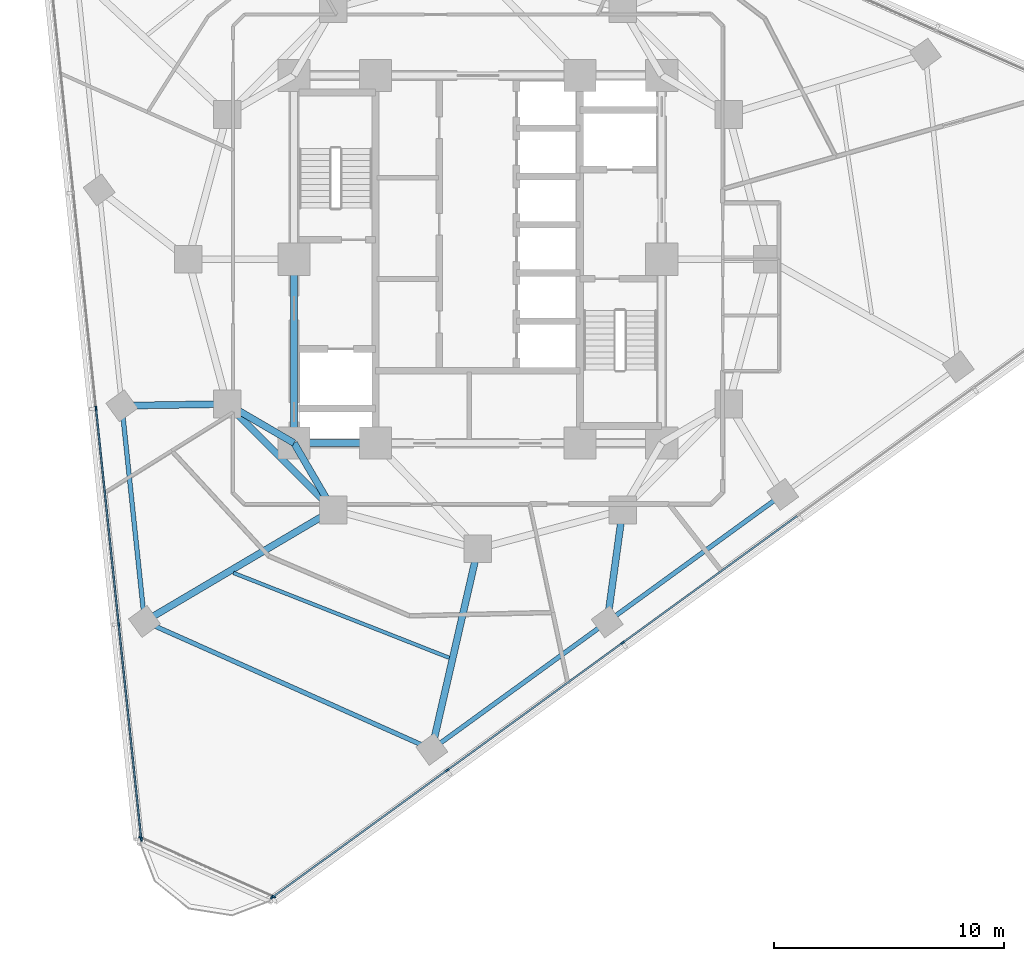
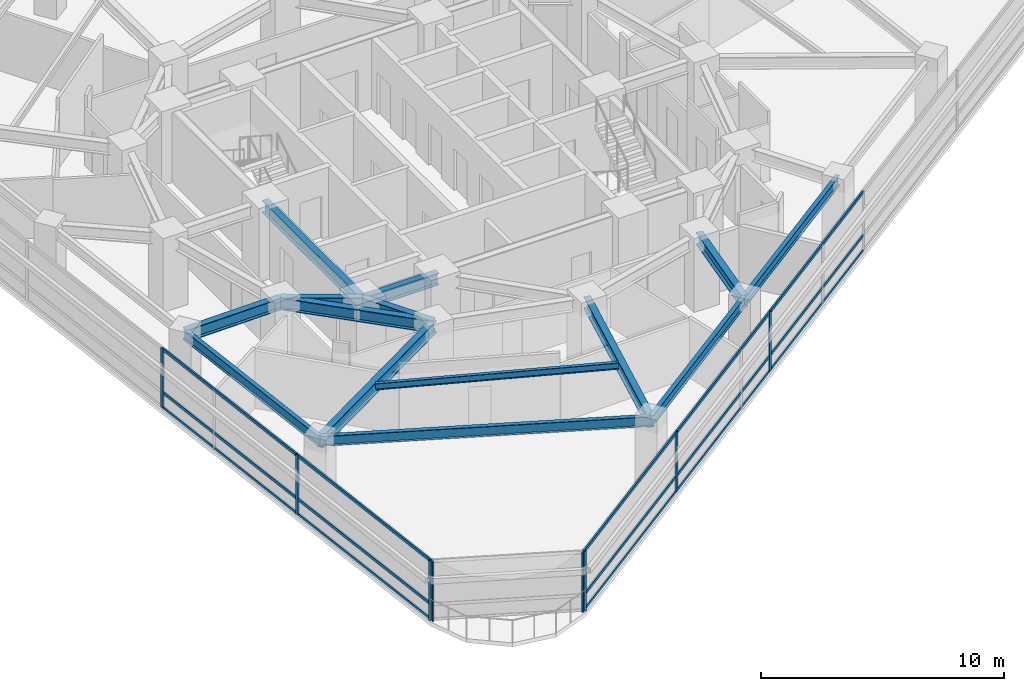
# One storey, part 2 of 14: 23 members, 14 beams, 3 elements without a shape of their own.
"""IFC4 building model written with IfcOpenShell, lengths in metres."""

from ifc_helpers import new_model, si_unit, direction, frame, origin, origin_2d, place, context, subcontext, project, spatial, rectangle, i_section, extrude, material, layer, layer_set, material_profile, profile_set, type_object, element, aggregate, save


model = new_model("IFC4")

# Units and contexts
model_context = context("Model", 3, precision=1e-05, world=origin(), true_north=direction((0.0, 1.0)))
body_context = subcontext(model_context, "Body", "Model", "MODEL_VIEW")
ifc_project = project(units=[si_unit("LENGTHUNIT", "METRE"), si_unit("AREAUNIT", "SQUARE_METRE"), si_unit("VOLUMEUNIT", "CUBIC_METRE"), si_unit("PLANEANGLEUNIT", "RADIAN"), si_unit("MASSUNIT", "GRAM", prefix="KILO")], contexts=[model_context])

# Site, building, storey
site_placement = place(None, origin())
site = spatial("IfcSite", under=ifc_project, at=site_placement, CompositionType="ELEMENT")
building_placement = place(site_placement, origin())
building = spatial("IfcBuilding", under=site, at=building_placement, Name="Terralouvre Media Tower", CompositionType="ELEMENT")
storey_placement = place(building_placement, frame((0.0, 0.0, 162.0)))
storey = spatial("IfcBuildingStorey", under=building, at=storey_placement, Name="L41", CompositionType="ELEMENT", Elevation=162.0)

# Beam
ifc_material_1 = material(Name="Structural steel S355J2", Category="steel")
ifc_material_profile_1 = material_profile(ifc_material_1, i_section(OverallWidth=0.159912109375, OverallDepth=0.330078125, WebThickness=0.007568359375, FlangeThickness=0.011474609375, at=origin_2d()), Name="IPE 330")
ifc_profile_set_1 = profile_set([ifc_material_profile_1], Name="Structural steel S355J2")
beam_type_1 = type_object("IfcBeamType", Name="Composite Floor Joist J-IPE330 (IPE 330)", PredefinedType="JOIST", material=ifc_profile_set_1)
beam_1_placement = place(storey_placement, frame((-10.638916015625, -13.648681640625, 3.3349609375), z_axis=(0.93055150024, -0.366161037525, 0.0), x_axis=(0.366161037525, 0.93055150024, 0.0)))
element("IfcBeam", 1, at=beam_1_placement, inside=storey, type_object=beam_type_1, Name="L41 Framing Beam JT-L41-01", PredefinedType="JOIST", context=body_context, shape_type="SweptSolid", body=[
    extrude(i_section(OverallWidth=0.159912109375, OverallDepth=0.330078125, WebThickness=0.007568359375, FlangeThickness=0.011474609375, at=origin_2d()), origin(), (0.0, 0.0, 1.0), 10.0966796875),
])

# Curtain wall, members
ifc_material_2 = material(Name="Low-iron laminated double glazing with solar-control coating", Category="glass")
ifc_layer_1 = layer(ifc_material_2, 0.1650390625, Name="Production Studio Tower Curtain Wall CW-03")
ifc_layer_set_1 = layer_set([ifc_layer_1], Name="Low-iron laminated double glazing with solar-control coating")
curtain_wall_type_1 = type_object("IfcCurtainWallType", Name="Production Studio Tower Curtain Wall CW-03", PredefinedType="NOTDEFINED", material=ifc_layer_set_1)
curtain_wall_1_placement = place(storey_placement, origin())
curtain_wall_1 = element("IfcCurtainWall", 2, at=curtain_wall_1_placement, inside=storey, type_object=curtain_wall_type_1, Name="L41 Facade Curtain Wall F0", PredefinedType="NOTDEFINED")
ifc_material_3 = material(Name="Anodised extruded aluminium 6063-T6", Category="aluminium")
ifc_material_profile_2 = material_profile(ifc_material_3, rectangle(XDim=0.074951171875, YDim=0.14990234375, at=origin_2d()), Name="ALU 75x150")
ifc_profile_set_2 = profile_set([ifc_material_profile_2], Name="Anodised extruded aluminium 6063-T6")
member_type_1 = type_object("IfcMemberType", Name="Curtain-Wall Horizontal Transom TR-150", PredefinedType="USERDEFINED", material=ifc_profile_set_2)
member_1_placement = place(storey_placement, frame((-8.9189453125, -27.7470703125, 0.03759765625), z_axis=(0.809025744282, 0.58777320889, 0.0), x_axis=(-0.58777320889, 0.809025744282, 0.0)))
member_1 = element("IfcMember", 3, at=member_1_placement, type_object=member_type_1, Name="CW-03 transom 1.1", ObjectType="TRANSOM", PredefinedType="USERDEFINED", context=body_context, shape_type="SweptSolid", body=[
    extrude(rectangle(XDim=0.074951171875, YDim=0.14990234375, at=origin_2d()), origin(), (0.0, 0.0, 1.0), 9.327392578125),
])
member_2_placement = place(storey_placement, frame((-8.9189453125, -27.7470703125, 0.800048828125), z_axis=(0.809025744282, 0.58777320889, 0.0), x_axis=(-0.58777320889, 0.809025744282, 0.0)))
member_2 = element("IfcMember", 4, at=member_2_placement, type_object=member_type_1, Name="CW-03 transom 1.2", ObjectType="TRANSOM", PredefinedType="USERDEFINED", context=body_context, shape_type="SweptSolid", body=[
    extrude(rectangle(XDim=0.074951171875, YDim=0.14990234375, at=origin_2d()), origin(), (0.0, 0.0, 1.0), 9.327392578125),
])
member_3_placement = place(storey_placement, frame((-8.9189453125, -27.7470703125, 2.96240234375), z_axis=(0.809025744282, 0.58777320889, 0.0), x_axis=(-0.58777320889, 0.809025744282, 0.0)))
member_3 = element("IfcMember", 5, at=member_3_placement, type_object=member_type_1, Name="CW-03 transom 1.3", ObjectType="TRANSOM", PredefinedType="USERDEFINED", context=body_context, shape_type="SweptSolid", body=[
    extrude(rectangle(XDim=0.074951171875, YDim=0.14990234375, at=origin_2d()), origin(), (0.0, 0.0, 1.0), 9.327392578125),
])
member_4_placement = place(storey_placement, frame((-1.312255859375, -22.220458984375, 0.03759765625), z_axis=(0.809014443998, 0.587788762569, 0.0), x_axis=(-0.587788762569, 0.809014443998, 0.0)))
member_4 = element("IfcMember", 6, at=member_4_placement, type_object=member_type_1, Name="CW-03 transom 2.1", ObjectType="TRANSOM", PredefinedType="USERDEFINED", context=body_context, shape_type="SweptSolid", body=[
    extrude(rectangle(XDim=0.074951171875, YDim=0.14990234375, at=origin_2d()), origin(), (0.0, 0.0, 1.0), 9.364990234375),
])
member_5_placement = place(storey_placement, frame((-1.312255859375, -22.220458984375, 0.800048828125), z_axis=(0.809014443998, 0.587788762569, 0.0), x_axis=(-0.587788762569, 0.809014443998, 0.0)))
member_5 = element("IfcMember", 7, at=member_5_placement, type_object=member_type_1, Name="CW-03 transom 2.2", ObjectType="TRANSOM", PredefinedType="USERDEFINED", context=body_context, shape_type="SweptSolid", body=[
    extrude(rectangle(XDim=0.074951171875, YDim=0.14990234375, at=origin_2d()), origin(), (0.0, 0.0, 1.0), 9.364990234375),
])
member_6_placement = place(storey_placement, frame((-1.312255859375, -22.220458984375, 2.96240234375), z_axis=(0.809014443998, 0.587788762569, 0.0), x_axis=(-0.587788762569, 0.809014443998, 0.0)))
member_6 = element("IfcMember", 8, at=member_6_placement, type_object=member_type_1, Name="CW-03 transom 2.3", ObjectType="TRANSOM", PredefinedType="USERDEFINED", context=body_context, shape_type="SweptSolid", body=[
    extrude(rectangle(XDim=0.074951171875, YDim=0.14990234375, at=origin_2d()), origin(), (0.0, 0.0, 1.0), 9.364990234375),
])
member_7_placement = place(storey_placement, frame((6.324951171875, -16.671875, 0.03759765625), z_axis=(0.809014443998, 0.587788762569, 0.0), x_axis=(-0.587788762569, 0.809014443998, 0.0)))
member_7 = element("IfcMember", 9, at=member_7_placement, type_object=member_type_1, Name="CW-03 transom 3.1", ObjectType="TRANSOM", PredefinedType="USERDEFINED", context=body_context, shape_type="SweptSolid", body=[
    extrude(rectangle(XDim=0.074951171875, YDim=0.14990234375, at=origin_2d()), origin(), (0.0, 0.0, 1.0), 9.364990234375),
])
member_8_placement = place(storey_placement, frame((6.324951171875, -16.671875, 0.800048828125), z_axis=(0.809014443998, 0.587788762569, 0.0), x_axis=(-0.587788762569, 0.809014443998, 0.0)))
member_8 = element("IfcMember", 10, at=member_8_placement, type_object=member_type_1, Name="CW-03 transom 3.2", ObjectType="TRANSOM", PredefinedType="USERDEFINED", context=body_context, shape_type="SweptSolid", body=[
    extrude(rectangle(XDim=0.074951171875, YDim=0.14990234375, at=origin_2d()), origin(), (0.0, 0.0, 1.0), 9.364990234375),
])
member_9_placement = place(storey_placement, frame((6.324951171875, -16.671875, 2.96240234375), z_axis=(0.809014443998, 0.587788762569, 0.0), x_axis=(-0.587788762569, 0.809014443998, 0.0)))
member_9 = element("IfcMember", 11, at=member_9_placement, type_object=member_type_1, Name="CW-03 transom 3.3", ObjectType="TRANSOM", PredefinedType="USERDEFINED", context=body_context, shape_type="SweptSolid", body=[
    extrude(rectangle(XDim=0.074951171875, YDim=0.14990234375, at=origin_2d()), origin(), (0.0, 0.0, 1.0), 9.364990234375),
])

curtain_wall_2_placement = place(storey_placement, origin())
curtain_wall_2 = element("IfcCurtainWall", 12, at=curtain_wall_2_placement, inside=storey, type_object=curtain_wall_type_1, Name="L41 Facade Curtain Wall F2", PredefinedType="NOTDEFINED")
member_10_placement = place(storey_placement, frame((-16.614013671875, -6.52978515625, 0.03759765625), z_axis=(0.104538223456, -0.994520869483, 0.0), x_axis=(0.994520869483, 0.104538223456, 0.0)))
member_10 = element("IfcMember", 13, at=member_10_placement, type_object=member_type_1, Name="CW-03 transom 4.1", ObjectType="TRANSOM", PredefinedType="USERDEFINED", context=body_context, shape_type="SweptSolid", body=[
    extrude(rectangle(XDim=0.074951171875, YDim=0.14990234375, at=origin_2d()), origin(), (0.0, 0.0, 1.0), 9.364990234375),
])
member_11_placement = place(storey_placement, frame((-16.614013671875, -6.52978515625, 0.800048828125), z_axis=(0.104538223456, -0.994520869483, 0.0), x_axis=(0.994520869483, 0.104538223456, 0.0)))
member_11 = element("IfcMember", 14, at=member_11_placement, type_object=member_type_1, Name="CW-03 transom 4.2", ObjectType="TRANSOM", PredefinedType="USERDEFINED", context=body_context, shape_type="SweptSolid", body=[
    extrude(rectangle(XDim=0.074951171875, YDim=0.14990234375, at=origin_2d()), origin(), (0.0, 0.0, 1.0), 9.364990234375),
])
member_12_placement = place(storey_placement, frame((-16.614013671875, -6.52978515625, 2.96240234375), z_axis=(0.104538223456, -0.994520869483, 0.0), x_axis=(0.994520869483, 0.104538223456, 0.0)))
member_12 = element("IfcMember", 15, at=member_12_placement, type_object=member_type_1, Name="CW-03 transom 4.3", ObjectType="TRANSOM", PredefinedType="USERDEFINED", context=body_context, shape_type="SweptSolid", body=[
    extrude(rectangle(XDim=0.074951171875, YDim=0.14990234375, at=origin_2d()), origin(), (0.0, 0.0, 1.0), 9.364990234375),
])
member_13_placement = place(storey_placement, frame((-15.627197265625, -15.918212890625, 0.03759765625), z_axis=(0.104540358364, -0.994520645071, 0.0), x_axis=(0.994520645071, 0.104540358364, 0.0)))
member_13 = element("IfcMember", 16, at=member_13_placement, type_object=member_type_1, Name="CW-03 transom 5.1", ObjectType="TRANSOM", PredefinedType="USERDEFINED", context=body_context, shape_type="SweptSolid", body=[
    extrude(rectangle(XDim=0.074951171875, YDim=0.14990234375, at=origin_2d()), origin(), (0.0, 0.0, 1.0), 9.327392578125),
])
member_14_placement = place(storey_placement, frame((-15.627197265625, -15.918212890625, 0.800048828125), z_axis=(0.104540358364, -0.994520645071, 0.0), x_axis=(0.994520645071, 0.104540358364, 0.0)))
member_14 = element("IfcMember", 17, at=member_14_placement, type_object=member_type_1, Name="CW-03 transom 5.2", ObjectType="TRANSOM", PredefinedType="USERDEFINED", context=body_context, shape_type="SweptSolid", body=[
    extrude(rectangle(XDim=0.074951171875, YDim=0.14990234375, at=origin_2d()), origin(), (0.0, 0.0, 1.0), 9.327392578125),
])
member_15_placement = place(storey_placement, frame((-15.627197265625, -15.918212890625, 2.96240234375), z_axis=(0.104540358364, -0.994520645071, 0.0), x_axis=(0.994520645071, 0.104540358364, 0.0)))
member_15 = element("IfcMember", 18, at=member_15_placement, type_object=member_type_1, Name="CW-03 transom 5.3", ObjectType="TRANSOM", PredefinedType="USERDEFINED", context=body_context, shape_type="SweptSolid", body=[
    extrude(rectangle(XDim=0.074951171875, YDim=0.14990234375, at=origin_2d()), origin(), (0.0, 0.0, 1.0), 9.327392578125),
])

# Member
ifc_material_4 = material(Name="Anodised extruded aluminium 6063-T6", Category="aluminium")
ifc_material_profile_3 = material_profile(ifc_material_4, rectangle(XDim=0.074951171875, YDim=0.179931640625, at=origin_2d()), Name="ALU 75x180")
ifc_profile_set_3 = profile_set([ifc_material_profile_3], Name="Anodised extruded aluminium 6063-T6")
member_type_2 = type_object("IfcMemberType", Name="Curtain-Wall Vertical Mullion ML-180", PredefinedType="MULLION", material=ifc_profile_set_3)
member_16_placement = place(storey_placement, frame((-8.949462890625, -27.769287109375, 0.0), z_axis=(0.0, 0.0, 1.0), x_axis=(-0.587785358263, 0.809016917383, 0.0)))
member_16 = element("IfcMember", 19, at=member_16_placement, type_object=member_type_2, Name="CW-03 mullion 1", PredefinedType="MULLION", context=body_context, shape_type="SweptSolid", body=[
    extrude(rectangle(XDim=0.074951171875, YDim=0.179931640625, at=origin_2d()), origin(), (0.0, 0.0, 1.0), 3.0),
])

member_17_placement = place(storey_placement, frame((-1.342529296875, -22.24267578125, 0.0), z_axis=(0.0, 0.0, 1.0), x_axis=(-0.587785358263, 0.809016917383, 0.0)))
member_17 = element("IfcMember", 20, at=member_17_placement, type_object=member_type_2, Name="CW-03 mullion 2", PredefinedType="MULLION", context=body_context, shape_type="SweptSolid", body=[
    extrude(rectangle(XDim=0.074951171875, YDim=0.179931640625, at=origin_2d()), origin(), (0.0, 0.0, 1.0), 3.0),
])

member_18_placement = place(storey_placement, frame((6.294677734375, -16.69384765625, 0.0), z_axis=(0.0, 0.0, 1.0), x_axis=(-0.587785358263, 0.809016917383, 0.0)))
member_18 = element("IfcMember", 21, at=member_18_placement, type_object=member_type_2, Name="CW-03 mullion 3", PredefinedType="MULLION", context=body_context, shape_type="SweptSolid", body=[
    extrude(rectangle(XDim=0.074951171875, YDim=0.179931640625, at=origin_2d()), origin(), (0.0, 0.0, 1.0), 3.0),
])

aggregate(curtain_wall_1, [member_16, member_17, member_18, member_1, member_2, member_3, member_4, member_5, member_6, member_7, member_8, member_9])

member_19_placement = place(storey_placement, frame((-16.617919921875, -6.49267578125, 0.0), z_axis=(0.0, 0.0, 1.0), x_axis=(0.994521904516, 0.104528376236, 0.0)))
member_19 = element("IfcMember", 22, at=member_19_placement, type_object=member_type_2, Name="CW-03 mullion 4", PredefinedType="MULLION", context=body_context, shape_type="SweptSolid", body=[
    extrude(rectangle(XDim=0.074951171875, YDim=0.179931640625, at=origin_2d()), origin(), (0.0, 0.0, 1.0), 3.0),
])

member_20_placement = place(storey_placement, frame((-15.631103515625, -15.880859375, 0.0), z_axis=(0.0, 0.0, 1.0), x_axis=(0.994521904516, 0.104528376236, 0.0)))
member_20 = element("IfcMember", 23, at=member_20_placement, type_object=member_type_2, Name="CW-03 mullion 5", PredefinedType="MULLION", context=body_context, shape_type="SweptSolid", body=[
    extrude(rectangle(XDim=0.074951171875, YDim=0.179931640625, at=origin_2d()), origin(), (0.0, 0.0, 1.0), 3.0),
])

member_21_placement = place(storey_placement, frame((-14.648193359375, -25.23193359375, 0.0), z_axis=(0.0, 0.0, 1.0), x_axis=(0.994521904516, 0.104528376236, 0.0)))
member_21 = element("IfcMember", 24, at=member_21_placement, type_object=member_type_2, Name="CW-03 mullion 6", PredefinedType="MULLION", context=body_context, shape_type="SweptSolid", body=[
    extrude(rectangle(XDim=0.074951171875, YDim=0.179931640625, at=origin_2d()), origin(), (0.0, 0.0, 1.0), 3.0),
])

aggregate(curtain_wall_2, [member_19, member_20, member_21, member_10, member_11, member_12, member_13, member_14, member_15])

# Curtain wall, members
ifc_material_5 = material(Name="Low-iron laminated double glazing with solar-control coating", Category="glass")
ifc_layer_2 = layer(ifc_material_5, 0.1650390625, Name="Rounded Wind-Corner Curved Glazing CW-04")
ifc_layer_set_2 = layer_set([ifc_layer_2], Name="Low-iron laminated double glazing with solar-control coating")
curtain_wall_type_2 = type_object("IfcCurtainWallType", Name="Rounded Wind-Corner Curved Glazing CW-04", PredefinedType="NOTDEFINED", material=ifc_layer_set_2)
curtain_wall_3_placement = place(storey_placement, origin())
curtain_wall_3 = element("IfcCurtainWall", 25, at=curtain_wall_3_placement, inside=storey, type_object=curtain_wall_type_2, Name="L41 Rounded Wind-Corner Curtain Wall C0", PredefinedType="NOTDEFINED")
member_22_placement = place(storey_placement, frame((-14.67236328125, -25.169189453125, 0.0), z_axis=(0.0, 0.0, 1.0), x_axis=(0.406736754128, 0.913545408199, 0.0)))
member_22 = element("IfcMember", 26, at=member_22_placement, type_object=member_type_2, Name="CW-04 mullion 1", PredefinedType="MULLION", context=body_context, shape_type="SweptSolid", body=[
    extrude(rectangle(XDim=0.074951171875, YDim=0.179931640625, at=origin_2d()), origin(), (0.0, 0.0, 1.0), 3.0),
])
member_23_placement = place(storey_placement, frame((-8.886474609375, -27.7451171875, 0.0), z_axis=(0.0, 0.0, 1.0), x_axis=(0.406736754128, 0.913545408199, 0.0)))
member_23 = element("IfcMember", 27, at=member_23_placement, type_object=member_type_2, Name="CW-04 mullion 2", PredefinedType="MULLION", context=body_context, shape_type="SweptSolid", body=[
    extrude(rectangle(XDim=0.074951171875, YDim=0.179931640625, at=origin_2d()), origin(), (0.0, 0.0, 1.0), 3.0),
])
aggregate(curtain_wall_3, [member_22, member_23])

# Beams
ifc_material_6 = material(Name="Structural steel S355J2", Category="steel")
ifc_material_profile_4 = material_profile(ifc_material_6, i_section(OverallWidth=0.199951171875, OverallDepth=0.5, WebThickness=0.01025390625, FlangeThickness=0.01611328125, at=origin_2d()), Name="IPE 500")
ifc_profile_set_4 = profile_set([ifc_material_profile_4], Name="Structural steel S355J2")
beam_type_2 = type_object("IfcBeamType", Name="Perimeter Spandrel Beam SPB-500 (IPE 500)", PredefinedType="SPANDREL", material=ifc_profile_set_4)
beam_2_placement = place(storey_placement, frame((-15.494140625, -6.37451171875, 3.25), z_axis=(0.10453669331, -0.994521030321, 0.0), x_axis=(0.994521030321, 0.10453669331, 0.0)))
element("IfcBeam", 28, at=beam_2_placement, inside=storey, type_object=beam_type_2, Name="L41 Framing Beam BM-L41-PR01", PredefinedType="SPANDREL", context=body_context, shape_type="SweptSolid", body=[
    extrude(i_section(OverallWidth=0.199951171875, OverallDepth=0.5, WebThickness=0.01025390625, FlangeThickness=0.01611328125, at=origin_2d()), origin(), (0.0, 0.0, 1.0), 9.43994140625),
])
beam_3_placement = place(storey_placement, frame((-14.50732421875, -15.7626953125, 3.25), z_axis=(0.913542800127, -0.4067426119, 0.0), x_axis=(0.4067426119, 0.913542800127, 0.0)))
element("IfcBeam", 29, at=beam_3_placement, inside=storey, type_object=beam_type_2, Name="L41 Framing Beam BM-L41-PR02", PredefinedType="SPANDREL", context=body_context, shape_type="SweptSolid", body=[
    extrude(i_section(OverallWidth=0.199951171875, OverallDepth=0.5, WebThickness=0.01025390625, FlangeThickness=0.01611328125, at=origin_2d()), origin(), (0.0, 0.0, 1.0), 13.68359375),
])
beam_4_placement = place(storey_placement, frame((-2.0068359375, -21.328369140625, 3.25), z_axis=(0.809025644413, 0.587773346352, 0.0), x_axis=(-0.587773346352, 0.809025644413, 0.0)))
element("IfcBeam", 30, at=beam_4_placement, inside=storey, type_object=beam_type_2, Name="L41 Framing Beam BM-L41-PR03", PredefinedType="SPANDREL", context=body_context, shape_type="SweptSolid", body=[
    extrude(i_section(OverallWidth=0.199951171875, OverallDepth=0.5, WebThickness=0.01025390625, FlangeThickness=0.01611328125, at=origin_2d()), origin(), (0.0, 0.0, 1.0), 9.43994140625),
])
beam_5_placement = place(storey_placement, frame((5.63037109375, -15.77978515625, 3.25), z_axis=(0.809013346268, 0.587790273448, 0.0), x_axis=(-0.587790273448, 0.809013346268, 0.0)))
element("IfcBeam", 31, at=beam_5_placement, inside=storey, type_object=beam_type_2, Name="L41 Framing Beam BM-L41-PR04", PredefinedType="SPANDREL", context=body_context, shape_type="SweptSolid", body=[
    extrude(i_section(OverallWidth=0.199951171875, OverallDepth=0.5, WebThickness=0.01025390625, FlangeThickness=0.01611328125, at=origin_2d()), origin(), (0.0, 0.0, 1.0), 9.440185546875),
])
ifc_material_7 = material(Name="Structural steel S460M", Category="steel")
ifc_material_profile_5 = material_profile(ifc_material_7, i_section(OverallWidth=0.300048828125, OverallDepth=0.60009765625, WebThickness=0.015380859375, FlangeThickness=0.030029296875, at=origin_2d()), Name="HEB 600")
ifc_profile_set_5 = profile_set([ifc_material_profile_5], Name="Structural steel S460M")
beam_type_3 = type_object("IfcBeamType", Name="Primary Floor Girder B-HEB600 (HEB 600)", PredefinedType="BEAM", material=ifc_profile_set_5)
beam_6_placement = place(storey_placement, frame((-8.0, -8.0, 3.199951171875), z_axis=(1.0, 0.0, 0.0), x_axis=(0.0, 1.0, 0.0)))
element("IfcBeam", 32, at=beam_6_placement, inside=storey, type_object=beam_type_3, Name="L41 Framing Beam BM-L41-CPR01", PredefinedType="BEAM", context=body_context, shape_type="SweptSolid", body=[
    extrude(i_section(OverallWidth=0.300048828125, OverallDepth=0.60009765625, WebThickness=0.015380859375, FlangeThickness=0.030029296875, at=origin_2d()), origin(), (0.0, 0.0, 1.0), 3.550048828125),
])
beam_7_placement = place(storey_placement, frame((-8.0, 0.0, 3.199951171875), z_axis=(0.0, -1.0, 0.0), x_axis=(1.0, 0.0, 0.0)))
element("IfcBeam", 33, at=beam_7_placement, inside=storey, type_object=beam_type_3, Name="L41 Framing Beam BM-L41-CPR10", PredefinedType="BEAM", context=body_context, shape_type="SweptSolid", body=[
    extrude(i_section(OverallWidth=0.300048828125, OverallDepth=0.60009765625, WebThickness=0.015380859375, FlangeThickness=0.030029296875, at=origin_2d()), origin(), (0.0, 0.0, 1.0), 8.0),
])
beam_8_placement = place(storey_placement, frame((-10.911865234375, -6.300048828125, 3.199951171875), z_axis=(0.707106781187, -0.707106781187, 0.0), x_axis=(0.707106781187, 0.707106781187, 0.0)))
element("IfcBeam", 34, at=beam_8_placement, inside=storey, type_object=beam_type_3, Name="L41 Framing Beam BM-L41-MR01", PredefinedType="BEAM", context=body_context, shape_type="SweptSolid", body=[
    extrude(i_section(OverallWidth=0.300048828125, OverallDepth=0.60009765625, WebThickness=0.015380859375, FlangeThickness=0.030029296875, at=origin_2d()), origin(), (0.0, 0.0, 1.0), 6.52197265625),
])
for number, where, z_axis, x_axis, name in (
    (35, (-8.0, -8.0, 3.199951171875), (-0.863602894532, 0.504172629717, 0.0), (-0.504172629717, -0.863602894532, 0.0), "L41 Framing Beam BM-L41-CM01"),
    (36, (-8.0, -8.0, 3.199951171875), (0.504172629717, -0.863602894532, 0.0), (0.863602894532, 0.504172629717, 0.0), "L41 Framing Beam BM-L41-CM02"),
):
    element("IfcBeam", number, at=place(storey_placement, frame(where, z_axis=z_axis, x_axis=x_axis)), inside=storey, type_object=beam_type_3, Name=name, PredefinedType="BEAM", context=body_context, shape_type="SweptSolid", body=[
        extrude(i_section(OverallWidth=0.300048828125, OverallDepth=0.60009765625, WebThickness=0.015380859375, FlangeThickness=0.030029296875, at=origin_2d()), origin(), (0.0, 0.0, 1.0), 3.371826171875),
    ])
beam_9_placement = place(storey_placement, frame((-10.911865234375, -6.300048828125, 3.199951171875), z_axis=(-0.999867991647, -0.016248054635, 0.0), x_axis=(0.016248054635, -0.999867991647, 0.0)))
element("IfcBeam", 37, at=beam_9_placement, inside=storey, type_object=beam_type_3, Name="L41 Framing Beam BM-L41-RD01", PredefinedType="BEAM", context=body_context, shape_type="SweptSolid", body=[
    extrude(i_section(OverallWidth=0.300048828125, OverallDepth=0.60009765625, WebThickness=0.015380859375, FlangeThickness=0.030029296875, at=origin_2d()), origin(), (0.0, 0.0, 1.0), 4.582763671875),
])
beam_10_placement = place(storey_placement, frame((-6.300048828125, -10.911865234375, 3.199951171875), z_axis=(-0.86087707212, -0.508812997768, 0.0), x_axis=(0.508812997768, -0.86087707212, 0.0)))
element("IfcBeam", 38, at=beam_10_placement, inside=storey, type_object=beam_type_3, Name="L41 Framing Beam BM-L41-RD02", PredefinedType="BEAM", context=body_context, shape_type="SweptSolid", body=[
    extrude(i_section(OverallWidth=0.300048828125, OverallDepth=0.60009765625, WebThickness=0.015380859375, FlangeThickness=0.030029296875, at=origin_2d()), origin(), (0.0, 0.0, 1.0), 9.53369140625),
])
beam_11_placement = place(storey_placement, frame((0.0, -12.60009765625, 3.199951171875), z_axis=(-0.224077011605, -0.974571440619, 0.0), x_axis=(0.974571440619, -0.224077011605, 0.0)))
element("IfcBeam", 39, at=beam_11_placement, inside=storey, type_object=beam_type_3, Name="L41 Framing Beam BM-L41-RD03", PredefinedType="BEAM", context=body_context, shape_type="SweptSolid", body=[
    extrude(i_section(OverallWidth=0.300048828125, OverallDepth=0.60009765625, WebThickness=0.015380859375, FlangeThickness=0.030029296875, at=origin_2d()), origin(), (0.0, 0.0, 1.0), 8.9560546875),
])
beam_12_placement = place(storey_placement, frame((6.300048828125, -10.911865234375, 3.199951171875), z_axis=(-0.136285998947, -0.990669534452, 0.0), x_axis=(0.990669534452, -0.136285998947, 0.0)))
element("IfcBeam", 40, at=beam_12_placement, inside=storey, type_object=beam_type_3, Name="L41 Framing Beam BM-L41-RD04", PredefinedType="BEAM", context=body_context, shape_type="SweptSolid", body=[
    extrude(i_section(OverallWidth=0.300048828125, OverallDepth=0.60009765625, WebThickness=0.015380859375, FlangeThickness=0.030029296875, at=origin_2d()), origin(), (0.0, 0.0, 1.0), 4.913818359375),
])

save(model, "model.ifc")
